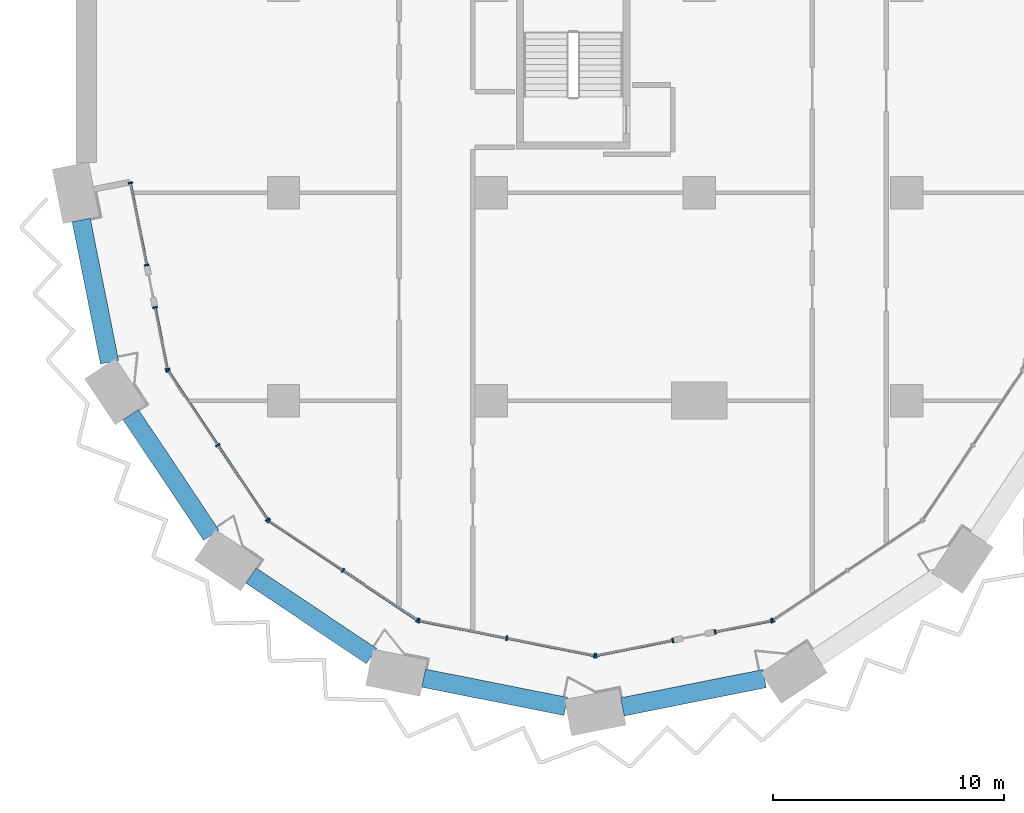
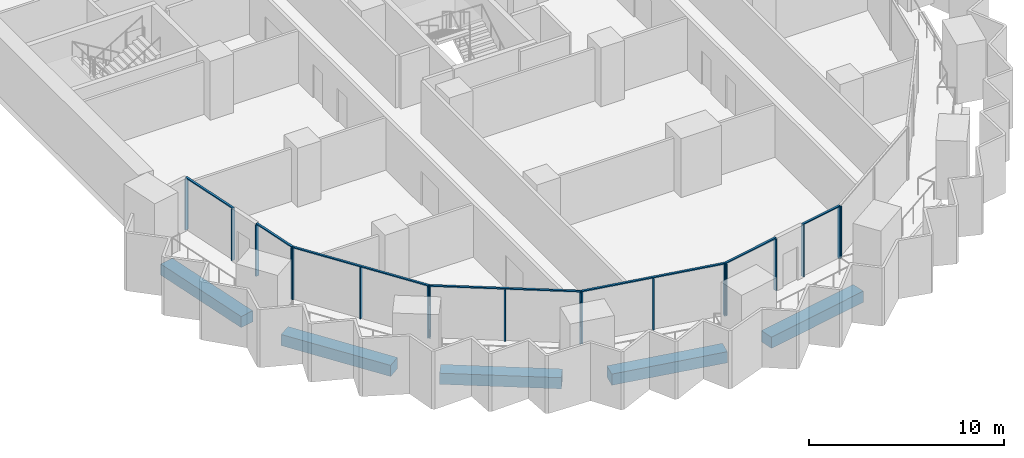
# One storey, part 2 of 28: 25 members, 5 beams, 8 elements without a shape of their own.
"""IFC4 building model written with IfcOpenShell, lengths in metres."""

from ifc_helpers import new_model, si_unit, direction, frame, origin, origin_2d, place, context, subcontext, project, spatial, rectangle, extrude, material, material_profile, profile_set, type_object, element, aggregate, save


model = new_model("IFC4")

# Units and contexts
model_context = context("Model", 3, precision=1e-05, world=origin(), true_north=direction((0.0, 1.0)))
body_context = subcontext(model_context, "Body", "Model", "MODEL_VIEW")
ifc_project = project(units=[si_unit("LENGTHUNIT", "METRE"), si_unit("AREAUNIT", "SQUARE_METRE"), si_unit("VOLUMEUNIT", "CUBIC_METRE"), si_unit("PLANEANGLEUNIT", "RADIAN"), si_unit("MASSUNIT", "GRAM", prefix="KILO")], contexts=[model_context])

# Site, building, storey
site_placement = place(None, origin())
site = spatial("IfcSite", under=ifc_project, at=site_placement, CompositionType="ELEMENT")
building_placement = place(site_placement, origin())
building = spatial("IfcBuilding", under=site, at=building_placement, Name="Hunhe Ridgeline Campus", CompositionType="ELEMENT")
storey_placement = place(building_placement, frame((0.0, 0.0, 43.199951171875)))
storey = spatial("IfcBuildingStorey", under=building, at=storey_placement, Name="L09", CompositionType="ELEMENT", Elevation=43.199951171875)

# Curtain wall, members
ifc_material_1 = material(Name="Aluminium 6063", Category="aluminium")
curtain_wall_type = type_object("IfcCurtainWallType", Name="Curtain wall CW-5", PredefinedType="NOTDEFINED", material=ifc_material_1)
curtain_wall_1_placement = place(storey_placement, origin())
curtain_wall_1 = element("IfcCurtainWall", 1, at=curtain_wall_1_placement, inside=storey, type_object=curtain_wall_type, Name="Curtain wall 01", PredefinedType="NOTDEFINED")
ifc_material_profile_1 = material_profile(ifc_material_1, rectangle(XDim=0.199951171875, YDim=0.070068359375, at=origin_2d()))
ifc_profile_set_1 = profile_set([ifc_material_profile_1], Name="Aluminium 6063")
member_type_1 = type_object("IfcMemberType", Name="CW-5 aluminium mullion", PredefinedType="MULLION", material=ifc_profile_set_1)
member_1_placement = place(storey_placement, frame((2.361572265625, 27.434326171875, 0.0), z_axis=(0.0, 0.0, 1.0), x_axis=(0.980784284924, 0.195095326561, 0.0)))
member_1 = element("IfcMember", 2, at=member_1_placement, type_object=member_type_1, Name="CW-5 mullion 1", PredefinedType="MULLION", context=body_context, shape_type="SweptSolid", body=[
    extrude(rectangle(XDim=0.199951171875, YDim=0.070068359375, at=origin_2d()), origin(), (0.0, 0.0, 1.0), 3.22998046875),
])
member_2_placement = place(storey_placement, frame((3.070068359375, 23.873291015625, 0.0), z_axis=(0.0, 0.0, 1.0), x_axis=(0.980784284924, 0.195095326561, 0.0)))
member_2 = element("IfcMember", 3, at=member_2_placement, type_object=member_type_1, Name="CW-5 mullion 2", PredefinedType="MULLION", context=body_context, shape_type="SweptSolid", body=[
    extrude(rectangle(XDim=0.199951171875, YDim=0.070068359375, at=origin_2d()), origin(), (0.0, 0.0, 1.0), 3.22998046875),
])

curtain_wall_2_placement = place(storey_placement, origin())
curtain_wall_2 = element("IfcCurtainWall", 4, at=curtain_wall_2_placement, inside=storey, type_object=curtain_wall_type, Name="Curtain wall 02", PredefinedType="NOTDEFINED")
member_3_placement = place(storey_placement, frame((3.434814453125, 22.0390625, 0.0), z_axis=(0.0, 0.0, 1.0), x_axis=(0.980784297053, 0.195095265587, 0.0)))
member_3 = element("IfcMember", 5, at=member_3_placement, type_object=member_type_1, Name="CW-5 mullion 1", PredefinedType="MULLION", context=body_context, shape_type="SweptSolid", body=[
    extrude(rectangle(XDim=0.199951171875, YDim=0.070068359375, at=origin_2d()), origin(), (0.0, 0.0, 1.0), 3.22998046875),
])
member_4_placement = place(storey_placement, frame((3.967529296875, 19.36083984375, 0.0), z_axis=(0.0, 0.0, 1.0), x_axis=(0.980784297053, 0.195095265587, 0.0)))
member_4 = element("IfcMember", 6, at=member_4_placement, type_object=member_type_1, Name="CW-5 mullion 2", PredefinedType="MULLION", context=body_context, shape_type="SweptSolid", body=[
    extrude(rectangle(XDim=0.199951171875, YDim=0.070068359375, at=origin_2d()), origin(), (0.0, 0.0, 1.0), 3.22998046875),
])

curtain_wall_3_placement = place(storey_placement, origin())
curtain_wall_3 = element("IfcCurtainWall", 7, at=curtain_wall_3_placement, inside=storey, type_object=curtain_wall_type, Name="Curtain wall 03", PredefinedType="NOTDEFINED")
member_5_placement = place(storey_placement, frame((3.993896484375, 19.29736328125, 0.0), z_axis=(0.0, 0.0, 1.0), x_axis=(0.831469584522, 0.555570274596, 0.0)))
member_5 = element("IfcMember", 8, at=member_5_placement, type_object=member_type_1, Name="CW-5 mullion 1", PredefinedType="MULLION", context=body_context, shape_type="SweptSolid", body=[
    extrude(rectangle(XDim=0.199951171875, YDim=0.070068359375, at=origin_2d()), origin(), (0.0, 0.0, 1.0), 3.22998046875),
])
member_6_placement = place(storey_placement, frame((6.147705078125, 16.07373046875, 0.0), z_axis=(0.0, 0.0, 1.0), x_axis=(0.831469584522, 0.555570274596, 0.0)))
member_6 = element("IfcMember", 9, at=member_6_placement, type_object=member_type_1, Name="CW-5 mullion 2", PredefinedType="MULLION", context=body_context, shape_type="SweptSolid", body=[
    extrude(rectangle(XDim=0.199951171875, YDim=0.070068359375, at=origin_2d()), origin(), (0.0, 0.0, 1.0), 3.22998046875),
])
member_7_placement = place(storey_placement, frame((8.3017578125, 12.850341796875, 0.0), z_axis=(0.0, 0.0, 1.0), x_axis=(0.831469584522, 0.555570274596, 0.0)))
member_7 = element("IfcMember", 10, at=member_7_placement, type_object=member_type_1, Name="CW-5 mullion 3", PredefinedType="MULLION", context=body_context, shape_type="SweptSolid", body=[
    extrude(rectangle(XDim=0.199951171875, YDim=0.070068359375, at=origin_2d()), origin(), (0.0, 0.0, 1.0), 3.22998046875),
])

curtain_wall_4_placement = place(storey_placement, origin())
curtain_wall_4 = element("IfcCurtainWall", 11, at=curtain_wall_4_placement, inside=storey, type_object=curtain_wall_type, Name="Curtain wall 04", PredefinedType="NOTDEFINED")
member_8_placement = place(storey_placement, frame((8.350341796875, 12.8017578125, 0.0), z_axis=(0.0, 0.0, 1.0), x_axis=(0.555570274596, 0.831469584522, 0.0)))
member_8 = element("IfcMember", 12, at=member_8_placement, type_object=member_type_1, Name="CW-5 mullion 1", PredefinedType="MULLION", context=body_context, shape_type="SweptSolid", body=[
    extrude(rectangle(XDim=0.199951171875, YDim=0.070068359375, at=origin_2d()), origin(), (0.0, 0.0, 1.0), 3.22998046875),
])
member_9_placement = place(storey_placement, frame((11.57373046875, 10.647705078125, 0.0), z_axis=(0.0, 0.0, 1.0), x_axis=(0.555570274596, 0.831469584522, 0.0)))
member_9 = element("IfcMember", 13, at=member_9_placement, type_object=member_type_1, Name="CW-5 mullion 2", PredefinedType="MULLION", context=body_context, shape_type="SweptSolid", body=[
    extrude(rectangle(XDim=0.199951171875, YDim=0.070068359375, at=origin_2d()), origin(), (0.0, 0.0, 1.0), 3.22998046875),
])
member_10_placement = place(storey_placement, frame((14.79736328125, 8.493896484375, 0.0), z_axis=(0.0, 0.0, 1.0), x_axis=(0.555570274596, 0.831469584522, 0.0)))
member_10 = element("IfcMember", 14, at=member_10_placement, type_object=member_type_1, Name="CW-5 mullion 3", PredefinedType="MULLION", context=body_context, shape_type="SweptSolid", body=[
    extrude(rectangle(XDim=0.199951171875, YDim=0.070068359375, at=origin_2d()), origin(), (0.0, 0.0, 1.0), 3.22998046875),
])

curtain_wall_5_placement = place(storey_placement, origin())
curtain_wall_5 = element("IfcCurtainWall", 15, at=curtain_wall_5_placement, inside=storey, type_object=curtain_wall_type, Name="Curtain wall 05", PredefinedType="NOTDEFINED")
member_11_placement = place(storey_placement, frame((14.86083984375, 8.467529296875, 0.0), z_axis=(0.0, 0.0, 1.0), x_axis=(0.195090347539, 0.980785275326, 0.0)))
member_11 = element("IfcMember", 16, at=member_11_placement, type_object=member_type_1, Name="CW-5 mullion 1", PredefinedType="MULLION", context=body_context, shape_type="SweptSolid", body=[
    extrude(rectangle(XDim=0.199951171875, YDim=0.070068359375, at=origin_2d()), origin(), (0.0, 0.0, 1.0), 3.22998046875),
])
member_12_placement = place(storey_placement, frame((18.663330078125, 7.711181640625, 0.0), z_axis=(0.0, 0.0, 1.0), x_axis=(0.195090347539, 0.980785275326, 0.0)))
member_12 = element("IfcMember", 17, at=member_12_placement, type_object=member_type_1, Name="CW-5 mullion 2", PredefinedType="MULLION", context=body_context, shape_type="SweptSolid", body=[
    extrude(rectangle(XDim=0.199951171875, YDim=0.070068359375, at=origin_2d()), origin(), (0.0, 0.0, 1.0), 3.22998046875),
])
member_13_placement = place(storey_placement, frame((22.465576171875, 6.954833984375, 0.0), z_axis=(0.0, 0.0, 1.0), x_axis=(0.195090347539, 0.980785275326, 0.0)))
member_13 = element("IfcMember", 18, at=member_13_placement, type_object=member_type_1, Name="CW-5 mullion 3", PredefinedType="MULLION", context=body_context, shape_type="SweptSolid", body=[
    extrude(rectangle(XDim=0.199951171875, YDim=0.070068359375, at=origin_2d()), origin(), (0.0, 0.0, 1.0), 3.22998046875),
])

curtain_wall_6_placement = place(storey_placement, origin())
curtain_wall_6 = element("IfcCurtainWall", 19, at=curtain_wall_6_placement, inside=storey, type_object=curtain_wall_type, Name="Curtain wall 06", PredefinedType="NOTDEFINED")
member_14_placement = place(storey_placement, frame((22.534423828125, 6.954833984375, 0.0), z_axis=(0.0, 0.0, 1.0), x_axis=(-0.19509037034, 0.980785270791, 0.0)))
member_14 = element("IfcMember", 20, at=member_14_placement, type_object=member_type_1, Name="CW-5 mullion 1", PredefinedType="MULLION", context=body_context, shape_type="SweptSolid", body=[
    extrude(rectangle(XDim=0.199951171875, YDim=0.070068359375, at=origin_2d()), origin(), (0.0, 0.0, 1.0), 3.22998046875),
])
member_15_placement = place(storey_placement, frame((25.861083984375, 7.61669921875, 0.0), z_axis=(0.0, 0.0, 1.0), x_axis=(-0.19509037034, 0.980785270791, 0.0)))
member_15 = element("IfcMember", 21, at=member_15_placement, type_object=member_type_1, Name="CW-5 mullion 2", PredefinedType="MULLION", context=body_context, shape_type="SweptSolid", body=[
    extrude(rectangle(XDim=0.199951171875, YDim=0.070068359375, at=origin_2d()), origin(), (0.0, 0.0, 1.0), 3.22998046875),
])

curtain_wall_7_placement = place(storey_placement, origin())
curtain_wall_7 = element("IfcCurtainWall", 22, at=curtain_wall_7_placement, inside=storey, type_object=curtain_wall_type, Name="Curtain wall 07", PredefinedType="NOTDEFINED")
member_16_placement = place(storey_placement, frame((27.695068359375, 7.9814453125, 0.0), z_axis=(0.0, 0.0, 1.0), x_axis=(-0.195090514627, 0.980785242091, 0.0)))
member_16 = element("IfcMember", 23, at=member_16_placement, type_object=member_type_1, Name="CW-5 mullion 1", PredefinedType="MULLION", context=body_context, shape_type="SweptSolid", body=[
    extrude(rectangle(XDim=0.199951171875, YDim=0.070068359375, at=origin_2d()), origin(), (0.0, 0.0, 1.0), 3.22998046875),
])
member_17_placement = place(storey_placement, frame((30.13916015625, 8.467529296875, 0.0), z_axis=(0.0, 0.0, 1.0), x_axis=(-0.195090514627, 0.980785242091, 0.0)))
member_17 = element("IfcMember", 24, at=member_17_placement, type_object=member_type_1, Name="CW-5 mullion 2", PredefinedType="MULLION", context=body_context, shape_type="SweptSolid", body=[
    extrude(rectangle(XDim=0.199951171875, YDim=0.070068359375, at=origin_2d()), origin(), (0.0, 0.0, 1.0), 3.22998046875),
])

# Curtain wall, member
curtain_wall_8_placement = place(storey_placement, origin())
curtain_wall_8 = element("IfcCurtainWall", 25, at=curtain_wall_8_placement, inside=storey, type_object=curtain_wall_type, Name="Curtain wall 08", PredefinedType="NOTDEFINED")
member_18_placement = place(storey_placement, frame((30.20263671875, 8.493896484375, 0.0), z_axis=(0.0, 0.0, 1.0), x_axis=(-0.555570274596, 0.831469584522, 0.0)))
member_18 = element("IfcMember", 26, at=member_18_placement, type_object=member_type_1, Name="CW-5 mullion 1", PredefinedType="MULLION", context=body_context, shape_type="SweptSolid", body=[
    extrude(rectangle(XDim=0.199951171875, YDim=0.070068359375, at=origin_2d()), origin(), (0.0, 0.0, 1.0), 3.22998046875),
])
aggregate(curtain_wall_8, [member_18])

# Member
ifc_material_profile_2 = material_profile(ifc_material_1, rectangle(XDim=0.1201171875, YDim=0.070068359375, at=origin_2d()))
ifc_profile_set_2 = profile_set([ifc_material_profile_2], Name="Aluminium 6063")
member_type_2 = type_object("IfcMemberType", Name="CW-5 aluminium transom", PredefinedType="USERDEFINED", material=ifc_profile_set_2)
member_19_placement = place(storey_placement, frame((2.354736328125, 27.46875, 3.26513671875), z_axis=(0.195126549745, -0.980778073564, 0.0), x_axis=(0.980778073564, 0.195126549745, 0.0)))
member_19 = element("IfcMember", 27, at=member_19_placement, type_object=member_type_2, Name="CW-5 transom 1", ObjectType="TRANSOM", PredefinedType="USERDEFINED", context=body_context, shape_type="SweptSolid", body=[
    extrude(rectangle(XDim=0.1201171875, YDim=0.070068359375, at=origin_2d()), origin(), (0.0, 0.0, 1.0), 3.700927734375),
])

aggregate(curtain_wall_1, [member_19, member_1, member_2])

member_20_placement = place(storey_placement, frame((3.427978515625, 22.073486328125, 3.26513671875), z_axis=(0.195076742145, -0.98078798151, 0.0), x_axis=(0.98078798151, 0.195076742145, 0.0)))
member_20 = element("IfcMember", 28, at=member_20_placement, type_object=member_type_2, Name="CW-5 transom 1", ObjectType="TRANSOM", PredefinedType="USERDEFINED", context=body_context, shape_type="SweptSolid", body=[
    extrude(rectangle(XDim=0.1201171875, YDim=0.070068359375, at=origin_2d()), origin(), (0.0, 0.0, 1.0), 2.80078125),
])

aggregate(curtain_wall_2, [member_20, member_3, member_4])

member_21_placement = place(storey_placement, frame((3.974365234375, 19.326416015625, 3.26513671875), z_axis=(0.5555640203, -0.831473763475, 0.0), x_axis=(0.831473763475, 0.5555640203, 0.0)))
member_21 = element("IfcMember", 29, at=member_21_placement, type_object=member_type_2, Name="CW-5 transom 1", ObjectType="TRANSOM", PredefinedType="USERDEFINED", context=body_context, shape_type="SweptSolid", body=[
    extrude(rectangle(XDim=0.1201171875, YDim=0.070068359375, at=origin_2d()), origin(), (0.0, 0.0, 1.0), 7.823974609375),
])

aggregate(curtain_wall_3, [member_21, member_5, member_6, member_7])

member_22_placement = place(storey_placement, frame((8.321044921875, 12.821044921875, 3.26513671875), z_axis=(0.831473763475, -0.5555640203, 0.0), x_axis=(0.5555640203, 0.831473763475, 0.0)))
member_22 = element("IfcMember", 30, at=member_22_placement, type_object=member_type_2, Name="CW-5 transom 1", ObjectType="TRANSOM", PredefinedType="USERDEFINED", context=body_context, shape_type="SweptSolid", body=[
    extrude(rectangle(XDim=0.1201171875, YDim=0.070068359375, at=origin_2d()), origin(), (0.0, 0.0, 1.0), 7.823974609375),
])

aggregate(curtain_wall_4, [member_22, member_8, member_9, member_10])

member_23_placement = place(storey_placement, frame((14.826416015625, 8.474365234375, 3.26513671875), z_axis=(0.980785367689, -0.195089883198, 0.0), x_axis=(0.195089883198, 0.980785367689, 0.0)))
member_23 = element("IfcMember", 31, at=member_23_placement, type_object=member_type_2, Name="CW-5 transom 1", ObjectType="TRANSOM", PredefinedType="USERDEFINED", context=body_context, shape_type="SweptSolid", body=[
    extrude(rectangle(XDim=0.1201171875, YDim=0.070068359375, at=origin_2d()), origin(), (0.0, 0.0, 1.0), 7.823974609375),
])

aggregate(curtain_wall_5, [member_23, member_11, member_12, member_13])

member_24_placement = place(storey_placement, frame((22.5, 6.947998046875, 3.26513671875), z_axis=(0.980778171596, 0.195126057004, 0.0), x_axis=(-0.195126057004, 0.980778171596, 0.0)))
member_24 = element("IfcMember", 32, at=member_24_placement, type_object=member_type_2, Name="CW-5 transom 1", ObjectType="TRANSOM", PredefinedType="USERDEFINED", context=body_context, shape_type="SweptSolid", body=[
    extrude(rectangle(XDim=0.1201171875, YDim=0.070068359375, at=origin_2d()), origin(), (0.0, 0.0, 1.0), 3.462158203125),
])

aggregate(curtain_wall_6, [member_24, member_14, member_15])

member_25_placement = place(storey_placement, frame((27.660888671875, 7.974609375, 3.26513671875), z_axis=(0.980789038007, 0.195071430315, 0.0), x_axis=(-0.195071430315, 0.980789038007, 0.0)))
member_25 = element("IfcMember", 33, at=member_25_placement, type_object=member_type_2, Name="CW-5 transom 1", ObjectType="TRANSOM", PredefinedType="USERDEFINED", context=body_context, shape_type="SweptSolid", body=[
    extrude(rectangle(XDim=0.1201171875, YDim=0.070068359375, at=origin_2d()), origin(), (0.0, 0.0, 1.0), 2.56201171875),
])

aggregate(curtain_wall_7, [member_25, member_16, member_17])

# Beams
ifc_material_2 = material(Name="Concrete C60", Category="concrete")
ifc_material_profile_3 = material_profile(ifc_material_2, rectangle(XDim=0.800048828125, YDim=0.699951171875, at=origin_2d()))
ifc_profile_set_3 = profile_set([ifc_material_profile_3], Name="Concrete C60")
beam_type = type_object("IfcBeamType", Name="RC spandrel beam 800x700 Concrete C60", PredefinedType="SPANDREL", material=ifc_profile_set_3)
for number, where, z_axis, x_axis, name in (
    (34, (0.234130859375, 25.822998046875, -0.599853515625), (0.195076855144, -0.980787959034, 0.0), (0.980787959034, 0.195076855144, 0.0), "Spandrel beam B1-1 L09"),
    (35, (2.37939453125, 17.391845703125, -0.599853515625), (0.555570106491, -0.831469696846, 0.0), (0.831469696846, 0.555570106491, 0.0), "Spandrel beam B1-2 L09"),
    (36, (7.587890625, 10.42333984375, -0.599853515625), (0.831469696846, -0.555570106491, 0.0), (0.555570106491, 0.831469696846, 0.0), "Spandrel beam B1-3 L09"),
    (37, (15.066650390625, 5.978515625, -0.599853515625), (0.980787959034, -0.195076855144, 0.0), (0.195076855144, 0.980787959034, 0.0), "Spandrel beam B1-4 L09"),
    (38, (23.677001953125, 4.734130859375, -0.599853515625), (0.980787959034, 0.195076855144, 0.0), (-0.195076855144, 0.980787959034, 0.0), "Spandrel beam B1-5 L09"),
):
    element("IfcBeam", number, at=place(storey_placement, frame(where, z_axis=z_axis, x_axis=x_axis)), inside=storey, type_object=beam_type, Name=name, PredefinedType="SPANDREL", context=body_context, shape_type="SweptSolid", body=[
        extrude(rectangle(XDim=0.800048828125, YDim=0.699951171875, at=origin_2d()), origin(), (0.0, 0.0, 1.0), 6.280029296875),
    ])

save(model, "model.ifc")
